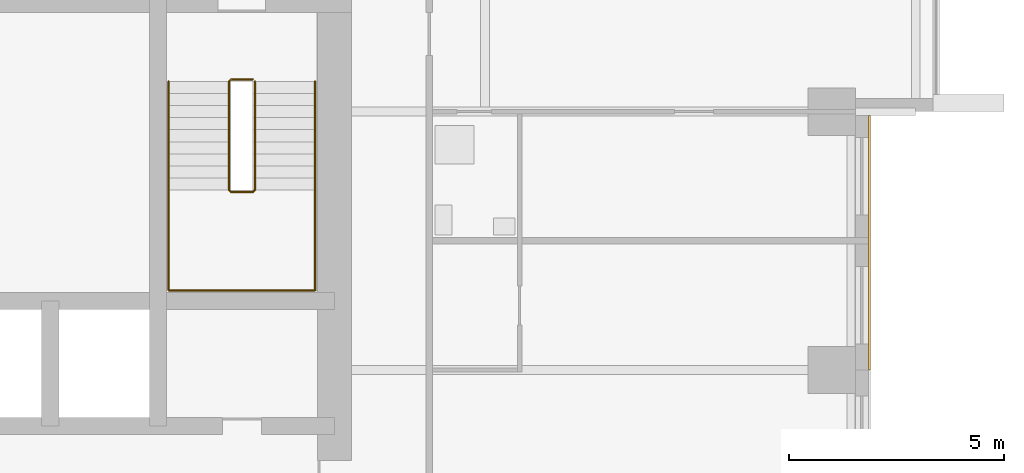
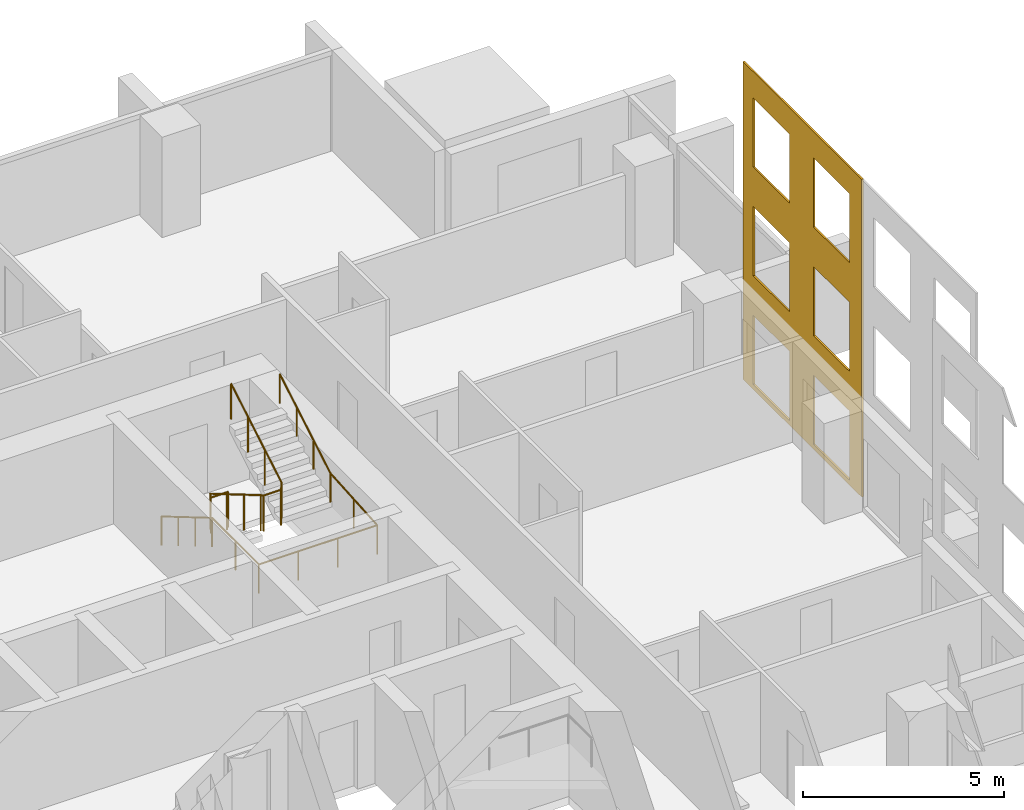
# One storey, part 10 of 11: 2 railings, 1 covering.
"""IFC4 building model written with IfcOpenShell, lengths in metres."""

from ifc_helpers import new_model, si_unit, direction, frame, origin, origin_2d, place, context, subcontext, project, spatial, polyline, circle, outline, extrude, material, layer, layer_set, type_object, element, save


model = new_model("IFC4")

# Units and contexts
model_context = context("Model", 3, precision=1e-05, world=origin(), true_north=direction((0.0, 1.0)))
body_context = subcontext(model_context, "Body", "Model", "MODEL_VIEW")
ifc_project = project(units=[si_unit("LENGTHUNIT", "METRE"), si_unit("AREAUNIT", "SQUARE_METRE"), si_unit("VOLUMEUNIT", "CUBIC_METRE"), si_unit("PLANEANGLEUNIT", "RADIAN"), si_unit("MASSUNIT", "GRAM", prefix="KILO")], contexts=[model_context])

# Site, building, storey
site_placement = place(None, origin())
site = spatial("IfcSite", under=ifc_project, at=site_placement, CompositionType="ELEMENT")
building_placement = place(site_placement, origin())
building = spatial("IfcBuilding", under=site, at=building_placement, Name="Amberfall Residences", CompositionType="ELEMENT")
storey_placement = place(building_placement, frame((0.0, 0.0, 98.5)))
storey = spatial("IfcBuildingStorey", under=building, at=storey_placement, Name="L26", CompositionType="ELEMENT", Elevation=98.5)

# Covering
ifc_material_1 = material(Name="Pale limestone cladding", Category="masonry")
ifc_layer = layer(ifc_material_1, 0.050048828125)
ifc_layer_set = layer_set([ifc_layer], Name="Limestone fascia 50")
covering_type = type_object("IfcCoveringType", Name="Limestone fascia 50", PredefinedType="CLADDING", material=ifc_layer_set)
covering_placement = place(storey_placement, frame((98.5, 48.39990234375, 9.64990234375), z_axis=(-1.0, 0.0, 0.0), x_axis=(0.0, 1.0, 0.0)))
element("IfcCovering", 1, at=covering_placement, inside=storey, type_object=covering_type, Name="Pale limestone cladding L26-L28 E", PredefinedType="CLADDING", context=body_context, shape_type="SweptSolid", body=[
    extrude(outline(polyline([(0.0, 0.0), (5.91015625, 0.0), (5.91015625, 9.64990234375), (0.0, 9.64990234375), (0.0, 0.0)]), holes=[polyline([(0.60009765625, 7.39990234375), (2.400146484375, 7.39990234375), (2.400146484375, 9.5), (0.60009765625, 9.5), (0.60009765625, 7.39990234375)]), polyline([(3.60009765625, 7.39990234375), (5.400146484375, 7.39990234375), (5.400146484375, 9.5), (3.60009765625, 9.5), (3.60009765625, 7.39990234375)]), polyline([(0.60009765625, 4.099853515625), (2.400146484375, 4.099853515625), (2.400146484375, 6.199951171875), (0.60009765625, 6.199951171875), (0.60009765625, 4.099853515625)]), polyline([(3.60009765625, 4.099853515625), (5.400146484375, 4.099853515625), (5.400146484375, 6.199951171875), (3.60009765625, 6.199951171875), (3.60009765625, 4.099853515625)]), polyline([(0.60009765625, 0.7998046875), (2.400146484375, 0.7998046875), (2.400146484375, 2.89990234375), (0.60009765625, 2.89990234375), (0.60009765625, 0.7998046875)]), polyline([(3.60009765625, 0.7998046875), (5.400146484375, 0.7998046875), (5.400146484375, 2.89990234375), (3.60009765625, 2.89990234375), (3.60009765625, 0.7998046875)])]), origin(), (0.0, 0.0, -1.0), 0.050048828125),
])

# Railings
ifc_material_2 = material(Name="Stainless steel 316", Category="steel")
railing_type_1 = type_object("IfcRailingType", Name="Stair guard 1100", PredefinedType="GUARDRAIL", material=ifc_material_2)
railing_1_placement = place(storey_placement, frame((84.199951171875, 55.14990234375, 0.0)))
element("IfcRailing", 2, at=railing_1_placement, inside=storey, type_object=railing_type_1, Name="L26 stair 3 guard", PredefinedType="GUARDRAIL", context=body_context, shape_type="SweptSolid", body=[
    extrude(circle(Radius=0.02392578125, at=origin_2d()), frame((0.0, 0.0, 1.076171875), z_axis=(-1.0, 0.0, 0.0), x_axis=(0.0, -1.0, 0.0)), (0.0, 0.0, 1.0), 0.5),
    extrude(circle(Radius=0.02392578125, at=origin_2d()), frame((-0.5, 0.0, 1.076171875), z_axis=(-0.278810427259, -0.277450376394, 0.919394384522), x_axis=(0.705375805398, -0.708833529934, 0.0)), (0.0, 0.0, 1.0), 0.179443359375),
    extrude(circle(Radius=0.02392578125, at=origin_2d()), frame((-0.550048828125, -0.0498046875, 1.2412109375), z_axis=(0.0, -0.861560626758, 0.507654692109), x_axis=(1.0, 0.0, 0.0)), (0.0, 0.0, 1.0), 2.925048828125),
    extrude(circle(Radius=0.02392578125, at=origin_2d()), frame((-0.550048828125, -2.56982421875, 2.72607421875), z_axis=(0.707106781187, -0.707106781187, 0.0), x_axis=(0.707106781187, 0.707106781187, 0.0)), (0.0, 0.0, 1.0), 0.07080078125),
    extrude(circle(Radius=0.02392578125, at=origin_2d()), frame((-0.5, -2.619873046875, 2.72607421875), z_axis=(1.0, 0.0, 0.0), x_axis=(0.0, 1.0, 0.0)), (0.0, 0.0, 1.0), 0.5),
    extrude(circle(Radius=0.02392578125, at=origin_2d()), frame((0.0, -2.619873046875, 2.72607421875), z_axis=(0.278705021027, 0.278705021027, 0.919046801044), x_axis=(-0.707106781187, 0.707106781187, 0.0)), (0.0, 0.0, 1.0), 0.1796875),
    extrude(circle(Radius=0.02392578125, at=origin_2d()), frame((0.050048828125, -2.56982421875, 2.89111328125), z_axis=(0.0, 0.86152411907, 0.507716645641), x_axis=(-1.0, 0.0, 0.0)), (0.0, 0.0, 1.0), 2.925048828125),
    extrude(circle(Radius=0.02099609375, at=origin_2d()), origin(), (0.0, 0.0, 1.0), 1.052001953125),
    extrude(circle(Radius=0.02099609375, at=origin_2d()), frame((-0.5, 0.0, 0.0)), (0.0, 0.0, 1.0), 1.052001953125),
    extrude(circle(Radius=0.02099609375, at=origin_2d()), frame((-0.550048828125, -0.0498046875, 0.1650390625)), (0.0, 0.0, 1.0), 1.052001953125),
    extrude(circle(Radius=0.02099609375, at=origin_2d()), frame((-0.550048828125, -0.889892578125, 0.659912109375)), (0.0, 0.0, 1.0), 1.052001953125),
    extrude(circle(Radius=0.02099609375, at=origin_2d()), frame((-0.550048828125, -1.729736328125, 1.155029296875)), (0.0, 0.0, 1.0), 1.052001953125),
    extrude(circle(Radius=0.02099609375, at=origin_2d()), frame((-0.550048828125, -2.56982421875, 1.64990234375)), (0.0, 0.0, 1.0), 1.052001953125),
    extrude(circle(Radius=0.02099609375, at=origin_2d()), frame((-0.5, -2.619873046875, 1.64990234375)), (0.0, 0.0, 1.0), 1.052001953125),
    extrude(circle(Radius=0.02099609375, at=origin_2d()), frame((0.0, -2.619873046875, 1.64990234375)), (0.0, 0.0, 1.0), 1.052001953125),
    extrude(circle(Radius=0.02099609375, at=origin_2d()), frame((0.050048828125, -2.56982421875, 1.81494140625)), (0.0, 0.0, 1.0), 1.052001953125),
    extrude(circle(Radius=0.02099609375, at=origin_2d()), frame((0.050048828125, -1.729736328125, 2.31005859375)), (0.0, 0.0, 1.0), 1.052001953125),
    extrude(circle(Radius=0.02099609375, at=origin_2d()), frame((0.050048828125, -0.889892578125, 2.804931640625)), (0.0, 0.0, 1.0), 1.052001953125),
    extrude(circle(Radius=0.02099609375, at=origin_2d()), frame((0.050048828125, -0.0498046875, 3.300048828125)), (0.0, 0.0, 1.0), 1.052001953125),
])
railing_type_2 = type_object("IfcRailingType", Name="Stair handrail 900", PredefinedType="HANDRAIL", material=ifc_material_2)
railing_2_placement = place(storey_placement, frame((82.25, 55.10009765625, 0.1650390625)))
element("IfcRailing", 3, at=railing_2_placement, inside=storey, type_object=railing_type_2, Name="L26 stair 3 handrail", PredefinedType="HANDRAIL", context=body_context, shape_type="SweptSolid", body=[
    extrude(circle(Radius=0.02392578125, at=origin_2d()), frame((0.0, 0.0, 0.8759765625), z_axis=(0.0, -0.861560626758, 0.507654692109), x_axis=(1.0, 0.0, 0.0)), (0.0, 0.0, 1.0), 2.925048828125),
    extrude(circle(Radius=0.02392578125, at=origin_2d()), frame((0.0, -2.52001953125, 2.36083984375), z_axis=(0.0, -1.0, 0.0), x_axis=(1.0, 0.0, 0.0)), (0.0, 0.0, 1.0), 2.330078125),
    extrude(circle(Radius=0.02392578125, at=origin_2d()), frame((0.0, -4.85009765625, 2.36083984375), z_axis=(1.0, 0.0, 0.0), x_axis=(0.0, 1.0, 0.0)), (0.0, 0.0, 1.0), 3.39990234375),
    extrude(circle(Radius=0.02392578125, at=origin_2d()), frame((3.39990234375, -4.85009765625, 2.36083984375), z_axis=(0.0, 0.997500965899, 0.07065283455), x_axis=(-1.0, 0.0, 0.0)), (0.0, 0.0, 1.0), 2.3359375),
    extrude(circle(Radius=0.02392578125, at=origin_2d()), frame((3.39990234375, -2.52001953125, 2.52587890625), z_axis=(0.0, 0.86152411907, 0.507716645641), x_axis=(-1.0, 0.0, 0.0)), (0.0, 0.0, 1.0), 2.925048828125),
    extrude(circle(Radius=0.02099609375, at=origin_2d()), origin(), (0.0, 0.0, 1.0), 0.851806640625),
    extrude(circle(Radius=0.02099609375, at=origin_2d()), frame((0.0, -0.840087890625, 0.494873046875)), (0.0, 0.0, 1.0), 0.851806640625),
    extrude(circle(Radius=0.02099609375, at=origin_2d()), frame((0.0, -1.679931640625, 0.989990234375)), (0.0, 0.0, 1.0), 0.851806640625),
    extrude(circle(Radius=0.02099609375, at=origin_2d()), frame((0.0, -2.52001953125, 1.48486328125)), (0.0, 0.0, 1.0), 0.851806640625),
    extrude(circle(Radius=0.02099609375, at=origin_2d()), frame((0.0, -3.68505859375, 1.48486328125)), (0.0, 0.0, 1.0), 0.851806640625),
    extrude(circle(Radius=0.02099609375, at=origin_2d()), frame((0.0, -4.85009765625, 1.48486328125)), (0.0, 0.0, 1.0), 0.851806640625),
    extrude(circle(Radius=0.02099609375, at=origin_2d()), frame((1.13330078125, -4.85009765625, 1.48486328125)), (0.0, 0.0, 1.0), 0.851806640625),
    extrude(circle(Radius=0.02099609375, at=origin_2d()), frame((2.2666015625, -4.85009765625, 1.48486328125)), (0.0, 0.0, 1.0), 0.851806640625),
    extrude(circle(Radius=0.02099609375, at=origin_2d()), frame((3.39990234375, -4.85009765625, 1.48486328125)), (0.0, 0.0, 1.0), 0.851806640625),
    extrude(circle(Radius=0.02099609375, at=origin_2d()), frame((3.39990234375, -3.68505859375, 1.5673828125)), (0.0, 0.0, 1.0), 0.851806640625),
    extrude(circle(Radius=0.02099609375, at=origin_2d()), frame((3.39990234375, -2.52001953125, 1.64990234375)), (0.0, 0.0, 1.0), 0.851806640625),
    extrude(circle(Radius=0.02099609375, at=origin_2d()), frame((3.39990234375, -1.679931640625, 2.14501953125)), (0.0, 0.0, 1.0), 0.851806640625),
    extrude(circle(Radius=0.02099609375, at=origin_2d()), frame((3.39990234375, -0.840087890625, 2.639892578125)), (0.0, 0.0, 1.0), 0.851806640625),
    extrude(circle(Radius=0.02099609375, at=origin_2d()), frame((3.39990234375, 0.0, 3.135009765625)), (0.0, 0.0, 1.0), 0.851806640625),
])

save(model, "model.ifc")
